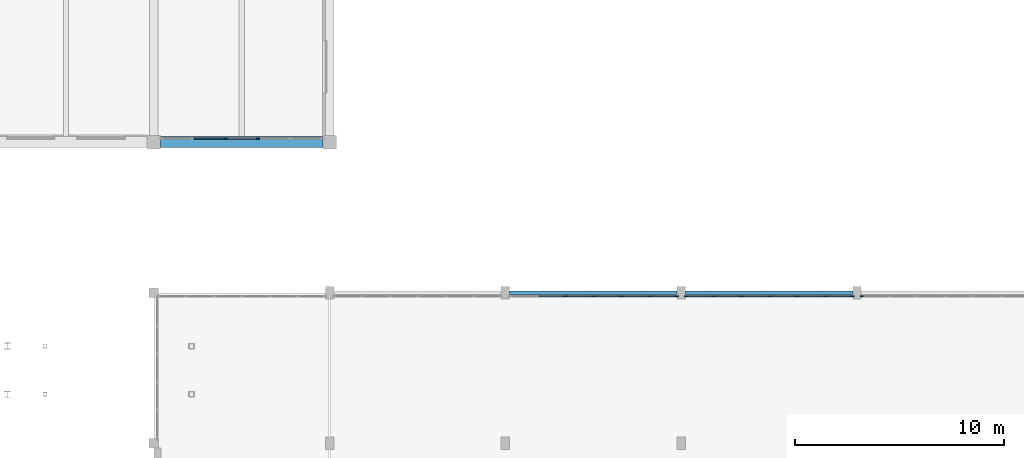
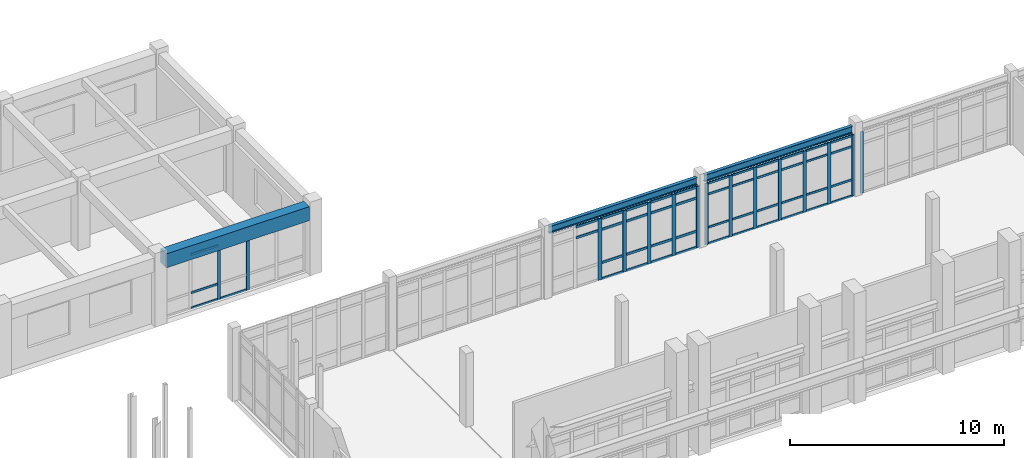
# One storey, part 92 of 147: 61 members, 3 beams, 4 elements without a shape of their own.
"""IFC4 building model written with IfcOpenShell, lengths in metres."""

import ifcopenshell
import ifcopenshell.guid

model = None  # the IFC model being written
_history = None  # IfcOwnerHistory: only IFC2X3 demands one
_inside = {}  # id of a spatial element -> (the spatial element, [elements in it])
_under = {}  # id of a project, library or spatial element -> (it, [spatial elements below it])
_declared = {}  # id of a project -> (the project, [libraries it declares])
_typed = {}  # id of a type object -> (the type object, [elements of that type])
_made_of = {}  # id of a material, layer set ... -> (it, [elements and type objects made of it])


def new_model(schema):
    """Start an empty IFC model of exactly this schema.

    Asked for "IFC4X3", IfcOpenShell would pick the latest addendum, in which some entities
    have other attributes; the version numbers below select the first issue.
    IFC2X3 requires an IfcOwnerHistory on every rooted entity: one is made here for all.
    """
    global model, _history
    if schema == "IFC4X3":
        model = ifcopenshell.file(schema_version=(4, 3, 0, 0))
    else:
        model = ifcopenshell.file(schema=schema)
    _inside.clear()
    _under.clear()
    _declared.clear()
    _typed.clear()
    _made_of.clear()
    _history = None
    if model.schema == "IFC2X3":
        org = make("IfcOrganization", Name="unknown")
        user = make(
            "IfcPersonAndOrganization",
            ThePerson=make("IfcPerson", FamilyName="unknown"),
            TheOrganization=org,
        )
        app = make(
            "IfcApplication",
            ApplicationDeveloper=org,
            Version="unknown",
            ApplicationFullName="unknown",
            ApplicationIdentifier="unknown",
        )
        _history = make(
            "IfcOwnerHistory",
            OwningUser=user,
            OwningApplication=app,
            ChangeAction="ADDED",
            CreationDate=0,
        )
    return model


def make(cls, **values):
    """One entity of the class cls with the attributes given. An attribute that is None is left unset."""
    return model.create_entity(
        cls, **{name: value for name, value in values.items() if value is not None}
    )


def rooted(cls, **values):
    """An entity with a GlobalId (a new one), such as an element, a storey or a relation."""
    return make(cls, GlobalId=ifcopenshell.guid.new(), OwnerHistory=_history, **values)


def si_unit(unit_type, name, prefix=None):
    """IfcSIUnit, for example si_unit("LENGTHUNIT", "METRE", prefix="MILLI")."""
    return make("IfcSIUnit", UnitType=unit_type, Prefix=prefix, Name=name)


def assignment(units):
    """IfcUnitAssignment: the units of a project."""
    return None if units is None else make("IfcUnitAssignment", Units=units)


def point(xyz):
    """IfcCartesianPoint."""
    return None if xyz is None else make("IfcCartesianPoint", Coordinates=xyz)


def direction(xyz):
    """IfcDirection."""
    return None if xyz is None else make("IfcDirection", DirectionRatios=xyz)


def frame(location, z_axis=None, x_axis=None):
    """IfcAxis2Placement3D, a coordinate frame: its origin and axes. An axis left out is left unset."""
    return make(
        "IfcAxis2Placement3D",
        Location=point(location),
        Axis=direction(z_axis),
        RefDirection=direction(x_axis),
    )


def frame_2d(location, x_axis=None):
    """IfcAxis2Placement2D, a coordinate frame in the plane: its origin and x axis."""
    return make(
        "IfcAxis2Placement2D", Location=point(location), RefDirection=direction(x_axis)
    )


def origin():
    """The frame at (0, 0, 0) with its axes left unset."""
    return frame((0.0, 0.0, 0.0))


def origin_2d():
    """The frame at (0, 0) in the plane with its x axis left unset."""
    return frame_2d((0.0, 0.0))


def place(relative_to, where):
    """IfcLocalPlacement: puts the frame where relative to a parent placement (None: the world)."""
    return make(
        "IfcLocalPlacement", PlacementRelTo=relative_to, RelativePlacement=where
    )


def context(
    kind, dimensions, precision=None, world=None, true_north=None, identifier=None
):
    """IfcGeometricRepresentationContext, for example the 3D "Model" context."""
    return make(
        "IfcGeometricRepresentationContext",
        ContextIdentifier=identifier,
        ContextType=kind,
        CoordinateSpaceDimension=dimensions,
        Precision=precision,
        WorldCoordinateSystem=world,
        TrueNorth=true_north,
    )


def subcontext(parent, identifier, kind, view, scale=None):
    """IfcGeometricRepresentationSubContext, for example "Body" below "Model"."""
    return make(
        "IfcGeometricRepresentationSubContext",
        ContextIdentifier=identifier,
        ContextType=kind,
        ParentContext=parent,
        TargetScale=scale,
        TargetView=view,
    )


def project(units=None, contexts=None):
    """IfcProject with its units and contexts."""
    return rooted(
        "IfcProject",
        Name="project",
        RepresentationContexts=contexts,
        UnitsInContext=assignment(units),
    )


def spatial(cls, under=None, at=None, **own):
    """A site, building, storey or space (cls), placed at a placement, below another one or the project."""
    s = rooted(cls, ObjectPlacement=at, **own)
    if under is not None:
        _under.setdefault(under.id(), (under, []))[1].append(s)
    return s


def profile(cls, at=None, kind="AREA", **sizes):
    """A parametric profile (cls). Its sizes go by their IFC names, for example OverallWidth=200.0."""
    return make(cls, ProfileType=kind, Position=at, **sizes)


def rectangle(**sizes):
    """IfcRectangleProfileDef."""
    return profile("IfcRectangleProfileDef", **sizes)


def i_section(**sizes):
    """IfcIShapeProfileDef."""
    return profile("IfcIShapeProfileDef", **sizes)


def extrude(swept, where, along, depth):
    """IfcExtrudedAreaSolid: the profile swept, set in the frame where, extruded along a direction by depth."""
    return make(
        "IfcExtrudedAreaSolid",
        SweptArea=swept,
        Position=where,
        ExtrudedDirection=direction(along),
        Depth=depth,
    )


def shape(context_of_items, identifier, shape_type, items):
    """IfcShapeRepresentation: the items that make up one representation, for example the "Body"."""
    return make(
        "IfcShapeRepresentation",
        ContextOfItems=context_of_items,
        RepresentationIdentifier=identifier,
        RepresentationType=shape_type,
        Items=items,
    )


def material(Name=None, Category=None):
    """IfcMaterial."""
    return make("IfcMaterial", Name=Name, Category=Category)


def material_profile(
    of_material, cross_section, Name=None, Category=None, Priority=None
):
    """IfcMaterialProfile: a cross section and its material."""
    return make(
        "IfcMaterialProfile",
        Name=Name,
        Material=of_material,
        Profile=cross_section,
        Priority=Priority,
        Category=Category,
    )


def profile_set(profiles, Name=None, composite=None):
    """IfcMaterialProfileSet."""
    return make(
        "IfcMaterialProfileSet",
        Name=Name,
        MaterialProfiles=profiles,
        CompositeProfile=composite,
    )


def made_of(thing, what):
    """Note that an element or type object is made of a material, layer set ...; save() writes the relation."""
    if what is not None:
        _made_of.setdefault(what.id(), (what, []))[1].append(thing)
    return thing


def type_object(cls, material=None, **own):
    """A type object (cls), such as IfcWallType, which elements share."""
    return made_of(rooted(cls, **own), material)


def element(
    cls,
    number,
    at=None,
    inside=None,
    cuts=None,
    type_object=None,
    material=None,
    context=None,
    identifier="Body",
    shape_type=None,
    held_by="IfcProductDefinitionShape",
    body=None,
    shapes=None,
    **own,
):
    """One element of the class cls, such as IfcWall. Its Tag is "e" and its number.

    at: its placement. inside: the storey or other place that contains it. cuts: it is an
    opening in that element (IfcRelVoidsElement). A single representation is given by context,
    identifier, shape_type and body (its items); several are given by shapes. held_by: the class
    of the entity that holds the representations. save() writes the other relations.
    """
    e = rooted(cls, Tag="e%d" % number, ObjectPlacement=at, **own)
    if body is not None:
        shapes = [shape(context, identifier, shape_type, body)]
    if shapes is not None:
        e.Representation = make(held_by, Representations=shapes)
    if inside is not None:
        _inside.setdefault(inside.id(), (inside, []))[1].append(e)
    if cuts is not None:
        rooted(
            "IfcRelVoidsElement", RelatingBuildingElement=cuts, RelatedOpeningElement=e
        )
    if type_object is not None:
        _typed.setdefault(type_object.id(), (type_object, []))[1].append(e)
    return made_of(e, material)


def aggregate(whole, parts):
    """IfcRelAggregates: a whole, such as a stair, and the parts it consists of."""
    return rooted("IfcRelAggregates", RelatingObject=whole, RelatedObjects=parts)


def save(model, path):
    """Write the relations noted so far, then the file.

    IfcRelAggregates (storeys below a building ...), IfcRelContainedInSpatialStructure (elements
    in a storey), IfcRelDefinesByType, IfcRelAssociatesMaterial and IfcRelDeclares: one each for
    every whole, place, type object, material and project.
    """
    for whole, parts in _under.values():
        aggregate(whole, parts)
    for where, things in _inside.values():
        rooted(
            "IfcRelContainedInSpatialStructure",
            RelatedElements=things,
            RelatingStructure=where,
        )
    for kind, things in _typed.values():
        rooted("IfcRelDefinesByType", RelatedObjects=things, RelatingType=kind)
    for what, things in _made_of.values():
        rooted("IfcRelAssociatesMaterial", RelatedObjects=things, RelatingMaterial=what)
    for by, libraries in _declared.values():
        rooted("IfcRelDeclares", RelatingContext=by, RelatedDefinitions=libraries)
    model.write(path)


model = new_model("IFC4")

# Units and contexts
model_context = context("Model", 3, precision=1e-05, world=origin(), true_north=direction((0.0, 1.0)))
body_context = subcontext(model_context, "Body", "Model", "MODEL_VIEW")
ifc_project = project(units=[si_unit("LENGTHUNIT", "METRE"), si_unit("AREAUNIT", "SQUARE_METRE"), si_unit("VOLUMEUNIT", "CUBIC_METRE"), si_unit("PLANEANGLEUNIT", "RADIAN"), si_unit("MASSUNIT", "GRAM", prefix="KILO")], contexts=[model_context])

# Site, building, storey
site_placement = place(None, origin())
site = spatial("IfcSite", under=ifc_project, at=site_placement, CompositionType="ELEMENT")
building_placement = place(site_placement, origin())
building = spatial("IfcBuilding", under=site, at=building_placement, Name="Malvenik Polytechnic", CompositionType="ELEMENT")
storey_placement = place(building_placement, frame((0.0, 0.0, 5.10009765625)))
storey = spatial("IfcBuildingStorey", under=building, at=storey_placement, Name="L01", CompositionType="ELEMENT", Elevation=5.10009765625)

# Curtain wall, members
ifc_material_1 = material(Name="Anodised aluminium 6060-T6", Category="aluminium")
curtain_wall_type = type_object("IfcCurtainWallType", Name="ARC-CW-CW-02", PredefinedType="NOTDEFINED", material=ifc_material_1)
curtain_wall_1_placement = place(storey_placement, origin())
curtain_wall_1 = element("IfcCurtainWall", 1, at=curtain_wall_1_placement, inside=storey, type_object=curtain_wall_type, Name="Unitised Curtain Wall CW-02 L01 #53", PredefinedType="NOTDEFINED")
ifc_material_2 = material(Name="Anodised aluminium", Category="aluminium")
ifc_material_profile_1 = material_profile(ifc_material_2, rectangle(XDim=0.06005859375, YDim=0.159912109375, at=origin_2d()), Name="ALU MULLION 60x160")
ifc_profile_set_1 = profile_set([ifc_material_profile_1], Name="Anodised aluminium")
member_type_1 = type_object("IfcMemberType", Name="ARC-CWM-160", PredefinedType="MULLION", material=ifc_profile_set_1)
member_1_placement = place(storey_placement, frame((130.975341796875, 115.3701171875, 0.0), z_axis=(0.0, 0.0, 1.0), x_axis=(0.0, -1.0, 0.0)))
member_1 = element("IfcMember", 2, at=member_1_placement, type_object=member_type_1, Name="CW-02 mullion 3", PredefinedType="MULLION", context=body_context, shape_type="SweptSolid", body=[
    extrude(rectangle(XDim=0.06005859375, YDim=0.159912109375, at=origin_2d()), origin(), (0.0, 0.0, 1.0), 3.10986328125),
])
member_2_placement = place(storey_placement, frame((129.424560546875, 115.3701171875, 0.0), z_axis=(0.0, 0.0, 1.0), x_axis=(0.0, -1.0, 0.0)))
member_2 = element("IfcMember", 3, at=member_2_placement, type_object=member_type_1, Name="CW-02 mullion 4", PredefinedType="MULLION", context=body_context, shape_type="SweptSolid", body=[
    extrude(rectangle(XDim=0.06005859375, YDim=0.159912109375, at=origin_2d()), origin(), (0.0, 0.0, 1.0), 3.10986328125),
])

# Curtain wall, member
curtain_wall_2_placement = place(storey_placement, origin())
curtain_wall_2 = element("IfcCurtainWall", 4, at=curtain_wall_2_placement, inside=storey, type_object=curtain_wall_type, Name="Unitised Curtain Wall CW-02 L01 #68", PredefinedType="NOTDEFINED")
member_3_placement = place(storey_placement, frame((159.827880859375, 107.830078125, 0.0), z_axis=(0.0, 0.0, 1.0), x_axis=(0.0, 1.0, 0.0)))
member_3 = element("IfcMember", 5, at=member_3_placement, type_object=member_type_1, Name="CW-02 mullion 1", PredefinedType="MULLION", context=body_context, shape_type="SweptSolid", body=[
    extrude(rectangle(XDim=0.06005859375, YDim=0.159912109375, at=origin_2d()), origin(), (0.0, 0.0, 1.0), 3.497802734375),
])
aggregate(curtain_wall_2, [member_3])

# Curtain wall, members
curtain_wall_3_placement = place(storey_placement, origin())
curtain_wall_3 = element("IfcCurtainWall", 6, at=curtain_wall_3_placement, inside=storey, type_object=curtain_wall_type, Name="Unitised Curtain Wall CW-02 L01 #67", PredefinedType="NOTDEFINED")
ifc_material_profile_2 = material_profile(ifc_material_2, rectangle(XDim=0.06005859375, YDim=0.179931640625, at=origin_2d()), Name="ALU MULLION 60x180")
ifc_profile_set_2 = profile_set([ifc_material_profile_2], Name="Anodised aluminium")
member_type_2 = type_object("IfcMemberType", Name="ARC-CWM-180", PredefinedType="MULLION", material=ifc_profile_set_2)
member_4_placement = place(storey_placement, frame((151.427978515625, 107.830078125, 0.0), z_axis=(0.0, 0.0, 1.0), x_axis=(0.0, 1.0, 0.0)))
member_4 = element("IfcMember", 7, at=member_4_placement, type_object=member_type_2, Name="CW-02 mullion 1", PredefinedType="MULLION", context=body_context, shape_type="SweptSolid", body=[
    extrude(rectangle(XDim=0.06005859375, YDim=0.179931640625, at=origin_2d()), origin(), (0.0, 0.0, 1.0), 3.497802734375),
])
member_5_placement = place(storey_placement, frame((152.73193359375, 107.830078125, 0.0), z_axis=(0.0, 0.0, 1.0), x_axis=(0.0, 1.0, 0.0)))
member_5 = element("IfcMember", 8, at=member_5_placement, type_object=member_type_2, Name="CW-02 mullion 2", PredefinedType="MULLION", context=body_context, shape_type="SweptSolid", body=[
    extrude(rectangle(XDim=0.06005859375, YDim=0.179931640625, at=origin_2d()), origin(), (0.0, 0.0, 1.0), 3.497802734375),
])
member_6_placement = place(storey_placement, frame((154.06591796875, 107.830078125, 0.0), z_axis=(0.0, 0.0, 1.0), x_axis=(0.0, 1.0, 0.0)))
member_6 = element("IfcMember", 9, at=member_6_placement, type_object=member_type_2, Name="CW-02 mullion 3", PredefinedType="MULLION", context=body_context, shape_type="SweptSolid", body=[
    extrude(rectangle(XDim=0.06005859375, YDim=0.179931640625, at=origin_2d()), origin(), (0.0, 0.0, 1.0), 3.497802734375),
])
member_7_placement = place(storey_placement, frame((155.39990234375, 107.830078125, 0.0), z_axis=(0.0, 0.0, 1.0), x_axis=(0.0, 1.0, 0.0)))
member_7 = element("IfcMember", 10, at=member_7_placement, type_object=member_type_2, Name="CW-02 mullion 4", PredefinedType="MULLION", context=body_context, shape_type="SweptSolid", body=[
    extrude(rectangle(XDim=0.06005859375, YDim=0.179931640625, at=origin_2d()), origin(), (0.0, 0.0, 1.0), 3.497802734375),
])
member_8_placement = place(storey_placement, frame((156.73388671875, 107.830078125, 0.0), z_axis=(0.0, 0.0, 1.0), x_axis=(0.0, 1.0, 0.0)))
member_8 = element("IfcMember", 11, at=member_8_placement, type_object=member_type_2, Name="CW-02 mullion 5", PredefinedType="MULLION", context=body_context, shape_type="SweptSolid", body=[
    extrude(rectangle(XDim=0.06005859375, YDim=0.179931640625, at=origin_2d()), origin(), (0.0, 0.0, 1.0), 3.497802734375),
])
member_9_placement = place(storey_placement, frame((158.068115234375, 107.830078125, 0.0), z_axis=(0.0, 0.0, 1.0), x_axis=(0.0, 1.0, 0.0)))
member_9 = element("IfcMember", 12, at=member_9_placement, type_object=member_type_2, Name="CW-02 mullion 6", PredefinedType="MULLION", context=body_context, shape_type="SweptSolid", body=[
    extrude(rectangle(XDim=0.06005859375, YDim=0.179931640625, at=origin_2d()), origin(), (0.0, 0.0, 1.0), 3.497802734375),
])
member_10_placement = place(storey_placement, frame((159.3720703125, 107.830078125, 0.0), z_axis=(0.0, 0.0, 1.0), x_axis=(0.0, 1.0, 0.0)))
member_10 = element("IfcMember", 13, at=member_10_placement, type_object=member_type_2, Name="CW-02 mullion 7", PredefinedType="MULLION", context=body_context, shape_type="SweptSolid", body=[
    extrude(rectangle(XDim=0.06005859375, YDim=0.179931640625, at=origin_2d()), origin(), (0.0, 0.0, 1.0), 3.497802734375),
])

curtain_wall_4_placement = place(storey_placement, origin())
curtain_wall_4 = element("IfcCurtainWall", 14, at=curtain_wall_4_placement, inside=storey, type_object=curtain_wall_type, Name="Unitised Curtain Wall CW-02 L01 #66", PredefinedType="NOTDEFINED")
ifc_material_profile_3 = material_profile(ifc_material_2, rectangle(XDim=0.06005859375, YDim=0.199951171875, at=origin_2d()), Name="ALU MULLION 60x200")
ifc_profile_set_3 = profile_set([ifc_material_profile_3], Name="Anodised aluminium")
member_type_3 = type_object("IfcMemberType", Name="ARC-CWM-200", PredefinedType="MULLION", material=ifc_profile_set_3)
member_11_placement = place(storey_placement, frame((145.666015625, 107.830078125, 0.0), z_axis=(0.0, 0.0, 1.0), x_axis=(0.0, 1.0, 0.0)))
member_11 = element("IfcMember", 15, at=member_11_placement, type_object=member_type_3, Name="CW-02 mullion 3", PredefinedType="MULLION", context=body_context, shape_type="SweptSolid", body=[
    extrude(rectangle(XDim=0.06005859375, YDim=0.199951171875, at=origin_2d()), origin(), (0.0, 0.0, 1.0), 3.497802734375),
])
member_12_placement = place(storey_placement, frame((147.0, 107.830078125, 0.0), z_axis=(0.0, 0.0, 1.0), x_axis=(0.0, 1.0, 0.0)))
member_12 = element("IfcMember", 16, at=member_12_placement, type_object=member_type_3, Name="CW-02 mullion 4", PredefinedType="MULLION", context=body_context, shape_type="SweptSolid", body=[
    extrude(rectangle(XDim=0.06005859375, YDim=0.199951171875, at=origin_2d()), origin(), (0.0, 0.0, 1.0), 3.497802734375),
])
member_13_placement = place(storey_placement, frame((148.333984375, 107.830078125, 0.0), z_axis=(0.0, 0.0, 1.0), x_axis=(0.0, 1.0, 0.0)))
member_13 = element("IfcMember", 17, at=member_13_placement, type_object=member_type_3, Name="CW-02 mullion 5", PredefinedType="MULLION", context=body_context, shape_type="SweptSolid", body=[
    extrude(rectangle(XDim=0.06005859375, YDim=0.199951171875, at=origin_2d()), origin(), (0.0, 0.0, 1.0), 3.497802734375),
])
member_14_placement = place(storey_placement, frame((149.66796875, 107.830078125, 0.0), z_axis=(0.0, 0.0, 1.0), x_axis=(0.0, 1.0, 0.0)))
member_14 = element("IfcMember", 18, at=member_14_placement, type_object=member_type_3, Name="CW-02 mullion 6", PredefinedType="MULLION", context=body_context, shape_type="SweptSolid", body=[
    extrude(rectangle(XDim=0.06005859375, YDim=0.199951171875, at=origin_2d()), origin(), (0.0, 0.0, 1.0), 3.497802734375),
])
member_15_placement = place(storey_placement, frame((150.971923828125, 107.830078125, 0.0), z_axis=(0.0, 0.0, 1.0), x_axis=(0.0, 1.0, 0.0)))
member_15 = element("IfcMember", 19, at=member_15_placement, type_object=member_type_3, Name="CW-02 mullion 7", PredefinedType="MULLION", context=body_context, shape_type="SweptSolid", body=[
    extrude(rectangle(XDim=0.06005859375, YDim=0.199951171875, at=origin_2d()), origin(), (0.0, 0.0, 1.0), 3.497802734375),
])

# Member
ifc_material_profile_4 = material_profile(ifc_material_2, rectangle(XDim=0.06005859375, YDim=0.1201171875, at=origin_2d()), Name="ALU TRANSOM 60x120")
ifc_profile_set_4 = profile_set([ifc_material_profile_4], Name="Anodised aluminium")
member_type_4 = type_object("IfcMemberType", Name="ARC-CWT-120", PredefinedType="USERDEFINED", material=ifc_profile_set_4)
member_16_placement = place(storey_placement, frame((130.9453125, 115.3701171875, 0.02978515625), z_axis=(-1.0, 0.0, 0.0), x_axis=(0.0, -1.0, 0.0)))
member_16 = element("IfcMember", 20, at=member_16_placement, type_object=member_type_4, Name="CW-02 transom 3.1", ObjectType="TRANSOM", PredefinedType="USERDEFINED", context=body_context, shape_type="SweptSolid", body=[
    extrude(rectangle(XDim=0.06005859375, YDim=0.1201171875, at=origin_2d()), origin(), (0.0, 0.0, 1.0), 1.49072265625),
])

member_17_placement = place(storey_placement, frame((129.39453125, 115.3701171875, 0.02978515625), z_axis=(-1.0, 0.0, 0.0), x_axis=(0.0, -1.0, 0.0)))
member_17 = element("IfcMember", 21, at=member_17_placement, type_object=member_type_4, Name="CW-02 transom 4.1", ObjectType="TRANSOM", PredefinedType="USERDEFINED", context=body_context, shape_type="SweptSolid", body=[
    extrude(rectangle(XDim=0.06005859375, YDim=0.1201171875, at=origin_2d()), origin(), (0.0, 0.0, 1.0), 1.49072265625),
])

member_18_placement = place(storey_placement, frame((129.39453125, 115.3701171875, 0.89990234375), z_axis=(-1.0, 0.0, 0.0), x_axis=(0.0, -1.0, 0.0)))
member_18 = element("IfcMember", 22, at=member_18_placement, type_object=member_type_4, Name="CW-02 transom 4.2", ObjectType="TRANSOM", PredefinedType="USERDEFINED", context=body_context, shape_type="SweptSolid", body=[
    extrude(rectangle(XDim=0.06005859375, YDim=0.1201171875, at=origin_2d()), origin(), (0.0, 0.0, 1.0), 1.49072265625),
])

member_19_placement = place(storey_placement, frame((129.39453125, 115.3701171875, 3.079833984375), z_axis=(-1.0, 0.0, 0.0), x_axis=(0.0, -1.0, 0.0)))
member_19 = element("IfcMember", 23, at=member_19_placement, type_object=member_type_4, Name="CW-02 transom 4.3", ObjectType="TRANSOM", PredefinedType="USERDEFINED", context=body_context, shape_type="SweptSolid", body=[
    extrude(rectangle(XDim=0.06005859375, YDim=0.1201171875, at=origin_2d()), origin(), (0.0, 0.0, 1.0), 1.49072265625),
])

aggregate(curtain_wall_1, [member_1, member_2, member_16, member_17, member_18, member_19])

member_20_placement = place(storey_placement, frame((151.4580078125, 107.830078125, 0.02978515625), z_axis=(1.0, 0.0, 0.0), x_axis=(0.0, 1.0, 0.0)))
member_20 = element("IfcMember", 24, at=member_20_placement, type_object=member_type_4, Name="CW-02 transom 1.1", ObjectType="TRANSOM", PredefinedType="USERDEFINED", context=body_context, shape_type="SweptSolid", body=[
    extrude(rectangle(XDim=0.06005859375, YDim=0.1201171875, at=origin_2d()), origin(), (0.0, 0.0, 1.0), 1.243896484375),
])

member_21_placement = place(storey_placement, frame((151.4580078125, 107.830078125, 0.949951171875), z_axis=(1.0, 0.0, 0.0), x_axis=(0.0, 1.0, 0.0)))
member_21 = element("IfcMember", 25, at=member_21_placement, type_object=member_type_4, Name="CW-02 transom 1.2", ObjectType="TRANSOM", PredefinedType="USERDEFINED", context=body_context, shape_type="SweptSolid", body=[
    extrude(rectangle(XDim=0.06005859375, YDim=0.1201171875, at=origin_2d()), origin(), (0.0, 0.0, 1.0), 1.243896484375),
])

member_22_placement = place(storey_placement, frame((151.4580078125, 107.830078125, 2.847900390625), z_axis=(1.0, 0.0, 0.0), x_axis=(0.0, 1.0, 0.0)))
member_22 = element("IfcMember", 26, at=member_22_placement, type_object=member_type_4, Name="CW-02 transom 1.3", ObjectType="TRANSOM", PredefinedType="USERDEFINED", context=body_context, shape_type="SweptSolid", body=[
    extrude(rectangle(XDim=0.06005859375, YDim=0.1201171875, at=origin_2d()), origin(), (0.0, 0.0, 1.0), 1.243896484375),
])

member_23_placement = place(storey_placement, frame((151.4580078125, 107.830078125, 3.468017578125), z_axis=(1.0, 0.0, 0.0), x_axis=(0.0, 1.0, 0.0)))
member_23 = element("IfcMember", 27, at=member_23_placement, type_object=member_type_4, Name="CW-02 transom 1.4", ObjectType="TRANSOM", PredefinedType="USERDEFINED", context=body_context, shape_type="SweptSolid", body=[
    extrude(rectangle(XDim=0.06005859375, YDim=0.1201171875, at=origin_2d()), origin(), (0.0, 0.0, 1.0), 1.243896484375),
])

member_24_placement = place(storey_placement, frame((152.761962890625, 107.830078125, 0.02978515625), z_axis=(1.0, 0.0, 0.0), x_axis=(0.0, 1.0, 0.0)))
member_24 = element("IfcMember", 28, at=member_24_placement, type_object=member_type_4, Name="CW-02 transom 2.1", ObjectType="TRANSOM", PredefinedType="USERDEFINED", context=body_context, shape_type="SweptSolid", body=[
    extrude(rectangle(XDim=0.06005859375, YDim=0.1201171875, at=origin_2d()), origin(), (0.0, 0.0, 1.0), 1.27392578125),
])

member_25_placement = place(storey_placement, frame((152.761962890625, 107.830078125, 0.949951171875), z_axis=(1.0, 0.0, 0.0), x_axis=(0.0, 1.0, 0.0)))
member_25 = element("IfcMember", 29, at=member_25_placement, type_object=member_type_4, Name="CW-02 transom 2.2", ObjectType="TRANSOM", PredefinedType="USERDEFINED", context=body_context, shape_type="SweptSolid", body=[
    extrude(rectangle(XDim=0.06005859375, YDim=0.1201171875, at=origin_2d()), origin(), (0.0, 0.0, 1.0), 1.27392578125),
])

member_26_placement = place(storey_placement, frame((152.761962890625, 107.830078125, 2.847900390625), z_axis=(1.0, 0.0, 0.0), x_axis=(0.0, 1.0, 0.0)))
member_26 = element("IfcMember", 30, at=member_26_placement, type_object=member_type_4, Name="CW-02 transom 2.3", ObjectType="TRANSOM", PredefinedType="USERDEFINED", context=body_context, shape_type="SweptSolid", body=[
    extrude(rectangle(XDim=0.06005859375, YDim=0.1201171875, at=origin_2d()), origin(), (0.0, 0.0, 1.0), 1.27392578125),
])

member_27_placement = place(storey_placement, frame((152.761962890625, 107.830078125, 3.468017578125), z_axis=(1.0, 0.0, 0.0), x_axis=(0.0, 1.0, 0.0)))
member_27 = element("IfcMember", 31, at=member_27_placement, type_object=member_type_4, Name="CW-02 transom 2.4", ObjectType="TRANSOM", PredefinedType="USERDEFINED", context=body_context, shape_type="SweptSolid", body=[
    extrude(rectangle(XDim=0.06005859375, YDim=0.1201171875, at=origin_2d()), origin(), (0.0, 0.0, 1.0), 1.27392578125),
])

member_28_placement = place(storey_placement, frame((154.095947265625, 107.830078125, 0.02978515625), z_axis=(1.0, 0.0, 0.0), x_axis=(0.0, 1.0, 0.0)))
member_28 = element("IfcMember", 32, at=member_28_placement, type_object=member_type_4, Name="CW-02 transom 3.1", ObjectType="TRANSOM", PredefinedType="USERDEFINED", context=body_context, shape_type="SweptSolid", body=[
    extrude(rectangle(XDim=0.06005859375, YDim=0.1201171875, at=origin_2d()), origin(), (0.0, 0.0, 1.0), 1.274169921875),
])

member_29_placement = place(storey_placement, frame((154.095947265625, 107.830078125, 0.949951171875), z_axis=(1.0, 0.0, 0.0), x_axis=(0.0, 1.0, 0.0)))
member_29 = element("IfcMember", 33, at=member_29_placement, type_object=member_type_4, Name="CW-02 transom 3.2", ObjectType="TRANSOM", PredefinedType="USERDEFINED", context=body_context, shape_type="SweptSolid", body=[
    extrude(rectangle(XDim=0.06005859375, YDim=0.1201171875, at=origin_2d()), origin(), (0.0, 0.0, 1.0), 1.274169921875),
])

member_30_placement = place(storey_placement, frame((154.095947265625, 107.830078125, 2.847900390625), z_axis=(1.0, 0.0, 0.0), x_axis=(0.0, 1.0, 0.0)))
member_30 = element("IfcMember", 34, at=member_30_placement, type_object=member_type_4, Name="CW-02 transom 3.3", ObjectType="TRANSOM", PredefinedType="USERDEFINED", context=body_context, shape_type="SweptSolid", body=[
    extrude(rectangle(XDim=0.06005859375, YDim=0.1201171875, at=origin_2d()), origin(), (0.0, 0.0, 1.0), 1.274169921875),
])

member_31_placement = place(storey_placement, frame((154.095947265625, 107.830078125, 3.468017578125), z_axis=(1.0, 0.0, 0.0), x_axis=(0.0, 1.0, 0.0)))
member_31 = element("IfcMember", 35, at=member_31_placement, type_object=member_type_4, Name="CW-02 transom 3.4", ObjectType="TRANSOM", PredefinedType="USERDEFINED", context=body_context, shape_type="SweptSolid", body=[
    extrude(rectangle(XDim=0.06005859375, YDim=0.1201171875, at=origin_2d()), origin(), (0.0, 0.0, 1.0), 1.274169921875),
])

member_32_placement = place(storey_placement, frame((155.429931640625, 107.830078125, 0.02978515625), z_axis=(1.0, 0.0, 0.0), x_axis=(0.0, 1.0, 0.0)))
member_32 = element("IfcMember", 36, at=member_32_placement, type_object=member_type_4, Name="CW-02 transom 4.1", ObjectType="TRANSOM", PredefinedType="USERDEFINED", context=body_context, shape_type="SweptSolid", body=[
    extrude(rectangle(XDim=0.06005859375, YDim=0.1201171875, at=origin_2d()), origin(), (0.0, 0.0, 1.0), 1.274169921875),
])

member_33_placement = place(storey_placement, frame((155.429931640625, 107.830078125, 0.949951171875), z_axis=(1.0, 0.0, 0.0), x_axis=(0.0, 1.0, 0.0)))
member_33 = element("IfcMember", 37, at=member_33_placement, type_object=member_type_4, Name="CW-02 transom 4.2", ObjectType="TRANSOM", PredefinedType="USERDEFINED", context=body_context, shape_type="SweptSolid", body=[
    extrude(rectangle(XDim=0.06005859375, YDim=0.1201171875, at=origin_2d()), origin(), (0.0, 0.0, 1.0), 1.274169921875),
])

member_34_placement = place(storey_placement, frame((155.429931640625, 107.830078125, 2.847900390625), z_axis=(1.0, 0.0, 0.0), x_axis=(0.0, 1.0, 0.0)))
member_34 = element("IfcMember", 38, at=member_34_placement, type_object=member_type_4, Name="CW-02 transom 4.3", ObjectType="TRANSOM", PredefinedType="USERDEFINED", context=body_context, shape_type="SweptSolid", body=[
    extrude(rectangle(XDim=0.06005859375, YDim=0.1201171875, at=origin_2d()), origin(), (0.0, 0.0, 1.0), 1.274169921875),
])

member_35_placement = place(storey_placement, frame((155.429931640625, 107.830078125, 3.468017578125), z_axis=(1.0, 0.0, 0.0), x_axis=(0.0, 1.0, 0.0)))
member_35 = element("IfcMember", 39, at=member_35_placement, type_object=member_type_4, Name="CW-02 transom 4.4", ObjectType="TRANSOM", PredefinedType="USERDEFINED", context=body_context, shape_type="SweptSolid", body=[
    extrude(rectangle(XDim=0.06005859375, YDim=0.1201171875, at=origin_2d()), origin(), (0.0, 0.0, 1.0), 1.274169921875),
])

member_36_placement = place(storey_placement, frame((156.763916015625, 107.830078125, 0.02978515625), z_axis=(1.0, 0.0, 0.0), x_axis=(0.0, 1.0, 0.0)))
member_36 = element("IfcMember", 40, at=member_36_placement, type_object=member_type_4, Name="CW-02 transom 5.1", ObjectType="TRANSOM", PredefinedType="USERDEFINED", context=body_context, shape_type="SweptSolid", body=[
    extrude(rectangle(XDim=0.06005859375, YDim=0.1201171875, at=origin_2d()), origin(), (0.0, 0.0, 1.0), 1.274169921875),
])

member_37_placement = place(storey_placement, frame((156.763916015625, 107.830078125, 0.949951171875), z_axis=(1.0, 0.0, 0.0), x_axis=(0.0, 1.0, 0.0)))
member_37 = element("IfcMember", 41, at=member_37_placement, type_object=member_type_4, Name="CW-02 transom 5.2", ObjectType="TRANSOM", PredefinedType="USERDEFINED", context=body_context, shape_type="SweptSolid", body=[
    extrude(rectangle(XDim=0.06005859375, YDim=0.1201171875, at=origin_2d()), origin(), (0.0, 0.0, 1.0), 1.274169921875),
])

member_38_placement = place(storey_placement, frame((156.763916015625, 107.830078125, 2.847900390625), z_axis=(1.0, 0.0, 0.0), x_axis=(0.0, 1.0, 0.0)))
member_38 = element("IfcMember", 42, at=member_38_placement, type_object=member_type_4, Name="CW-02 transom 5.3", ObjectType="TRANSOM", PredefinedType="USERDEFINED", context=body_context, shape_type="SweptSolid", body=[
    extrude(rectangle(XDim=0.06005859375, YDim=0.1201171875, at=origin_2d()), origin(), (0.0, 0.0, 1.0), 1.274169921875),
])

member_39_placement = place(storey_placement, frame((156.763916015625, 107.830078125, 3.468017578125), z_axis=(1.0, 0.0, 0.0), x_axis=(0.0, 1.0, 0.0)))
member_39 = element("IfcMember", 43, at=member_39_placement, type_object=member_type_4, Name="CW-02 transom 5.4", ObjectType="TRANSOM", PredefinedType="USERDEFINED", context=body_context, shape_type="SweptSolid", body=[
    extrude(rectangle(XDim=0.06005859375, YDim=0.1201171875, at=origin_2d()), origin(), (0.0, 0.0, 1.0), 1.274169921875),
])

member_40_placement = place(storey_placement, frame((158.097900390625, 107.830078125, 0.02978515625), z_axis=(1.0, 0.0, 0.0), x_axis=(0.0, 1.0, 0.0)))
member_40 = element("IfcMember", 44, at=member_40_placement, type_object=member_type_4, Name="CW-02 transom 6.1", ObjectType="TRANSOM", PredefinedType="USERDEFINED", context=body_context, shape_type="SweptSolid", body=[
    extrude(rectangle(XDim=0.06005859375, YDim=0.1201171875, at=origin_2d()), origin(), (0.0, 0.0, 1.0), 1.244140625),
])

member_41_placement = place(storey_placement, frame((158.097900390625, 107.830078125, 0.949951171875), z_axis=(1.0, 0.0, 0.0), x_axis=(0.0, 1.0, 0.0)))
member_41 = element("IfcMember", 45, at=member_41_placement, type_object=member_type_4, Name="CW-02 transom 6.2", ObjectType="TRANSOM", PredefinedType="USERDEFINED", context=body_context, shape_type="SweptSolid", body=[
    extrude(rectangle(XDim=0.06005859375, YDim=0.1201171875, at=origin_2d()), origin(), (0.0, 0.0, 1.0), 1.244140625),
])

member_42_placement = place(storey_placement, frame((158.097900390625, 107.830078125, 2.847900390625), z_axis=(1.0, 0.0, 0.0), x_axis=(0.0, 1.0, 0.0)))
member_42 = element("IfcMember", 46, at=member_42_placement, type_object=member_type_4, Name="CW-02 transom 6.3", ObjectType="TRANSOM", PredefinedType="USERDEFINED", context=body_context, shape_type="SweptSolid", body=[
    extrude(rectangle(XDim=0.06005859375, YDim=0.1201171875, at=origin_2d()), origin(), (0.0, 0.0, 1.0), 1.244140625),
])

member_43_placement = place(storey_placement, frame((158.097900390625, 107.830078125, 3.468017578125), z_axis=(1.0, 0.0, 0.0), x_axis=(0.0, 1.0, 0.0)))
member_43 = element("IfcMember", 47, at=member_43_placement, type_object=member_type_4, Name="CW-02 transom 6.4", ObjectType="TRANSOM", PredefinedType="USERDEFINED", context=body_context, shape_type="SweptSolid", body=[
    extrude(rectangle(XDim=0.06005859375, YDim=0.1201171875, at=origin_2d()), origin(), (0.0, 0.0, 1.0), 1.244140625),
])

aggregate(curtain_wall_3, [member_4, member_5, member_6, member_7, member_8, member_9, member_10, member_20, member_21, member_22, member_23, member_24, member_25, member_26, member_27, member_28, member_29, member_30, member_31, member_32, member_33, member_34, member_35, member_36, member_37, member_38, member_39, member_40, member_41, member_42, member_43])

ifc_material_profile_5 = material_profile(ifc_material_2, rectangle(XDim=0.06005859375, YDim=0.139892578125, at=origin_2d()), Name="ALU TRANSOM 60x140")
ifc_profile_set_5 = profile_set([ifc_material_profile_5], Name="Anodised aluminium")
member_type_5 = type_object("IfcMemberType", Name="ARC-CWT-140", PredefinedType="USERDEFINED", material=ifc_profile_set_5)
member_44_placement = place(storey_placement, frame((144.362060546875, 107.830078125, 2.847900390625), z_axis=(1.0, 0.0, 0.0), x_axis=(0.0, 1.0, 0.0)))
member_44 = element("IfcMember", 48, at=member_44_placement, type_object=member_type_5, Name="CW-02 transom 2.3", ObjectType="TRANSOM", PredefinedType="USERDEFINED", context=body_context, shape_type="SweptSolid", body=[
    extrude(rectangle(XDim=0.06005859375, YDim=0.139892578125, at=origin_2d()), origin(), (0.0, 0.0, 1.0), 1.27392578125),
])

member_45_placement = place(storey_placement, frame((144.362060546875, 107.830078125, 3.468017578125), z_axis=(1.0, 0.0, 0.0), x_axis=(0.0, 1.0, 0.0)))
member_45 = element("IfcMember", 49, at=member_45_placement, type_object=member_type_5, Name="CW-02 transom 2.4", ObjectType="TRANSOM", PredefinedType="USERDEFINED", context=body_context, shape_type="SweptSolid", body=[
    extrude(rectangle(XDim=0.06005859375, YDim=0.139892578125, at=origin_2d()), origin(), (0.0, 0.0, 1.0), 1.27392578125),
])

member_46_placement = place(storey_placement, frame((145.696044921875, 107.830078125, 0.02978515625), z_axis=(1.0, 0.0, 0.0), x_axis=(0.0, 1.0, 0.0)))
member_46 = element("IfcMember", 50, at=member_46_placement, type_object=member_type_5, Name="CW-02 transom 3.1", ObjectType="TRANSOM", PredefinedType="USERDEFINED", context=body_context, shape_type="SweptSolid", body=[
    extrude(rectangle(XDim=0.06005859375, YDim=0.139892578125, at=origin_2d()), origin(), (0.0, 0.0, 1.0), 1.27392578125),
])

member_47_placement = place(storey_placement, frame((145.696044921875, 107.830078125, 0.949951171875), z_axis=(1.0, 0.0, 0.0), x_axis=(0.0, 1.0, 0.0)))
member_47 = element("IfcMember", 51, at=member_47_placement, type_object=member_type_5, Name="CW-02 transom 3.2", ObjectType="TRANSOM", PredefinedType="USERDEFINED", context=body_context, shape_type="SweptSolid", body=[
    extrude(rectangle(XDim=0.06005859375, YDim=0.139892578125, at=origin_2d()), origin(), (0.0, 0.0, 1.0), 1.27392578125),
])

member_48_placement = place(storey_placement, frame((145.696044921875, 107.830078125, 2.847900390625), z_axis=(1.0, 0.0, 0.0), x_axis=(0.0, 1.0, 0.0)))
member_48 = element("IfcMember", 52, at=member_48_placement, type_object=member_type_5, Name="CW-02 transom 3.3", ObjectType="TRANSOM", PredefinedType="USERDEFINED", context=body_context, shape_type="SweptSolid", body=[
    extrude(rectangle(XDim=0.06005859375, YDim=0.139892578125, at=origin_2d()), origin(), (0.0, 0.0, 1.0), 1.27392578125),
])

member_49_placement = place(storey_placement, frame((145.696044921875, 107.830078125, 3.468017578125), z_axis=(1.0, 0.0, 0.0), x_axis=(0.0, 1.0, 0.0)))
member_49 = element("IfcMember", 53, at=member_49_placement, type_object=member_type_5, Name="CW-02 transom 3.4", ObjectType="TRANSOM", PredefinedType="USERDEFINED", context=body_context, shape_type="SweptSolid", body=[
    extrude(rectangle(XDim=0.06005859375, YDim=0.139892578125, at=origin_2d()), origin(), (0.0, 0.0, 1.0), 1.27392578125),
])

member_50_placement = place(storey_placement, frame((147.030029296875, 107.830078125, 0.02978515625), z_axis=(1.0, 0.0, 0.0), x_axis=(0.0, 1.0, 0.0)))
member_50 = element("IfcMember", 54, at=member_50_placement, type_object=member_type_5, Name="CW-02 transom 4.1", ObjectType="TRANSOM", PredefinedType="USERDEFINED", context=body_context, shape_type="SweptSolid", body=[
    extrude(rectangle(XDim=0.06005859375, YDim=0.139892578125, at=origin_2d()), origin(), (0.0, 0.0, 1.0), 1.27392578125),
])

member_51_placement = place(storey_placement, frame((147.030029296875, 107.830078125, 0.949951171875), z_axis=(1.0, 0.0, 0.0), x_axis=(0.0, 1.0, 0.0)))
member_51 = element("IfcMember", 55, at=member_51_placement, type_object=member_type_5, Name="CW-02 transom 4.2", ObjectType="TRANSOM", PredefinedType="USERDEFINED", context=body_context, shape_type="SweptSolid", body=[
    extrude(rectangle(XDim=0.06005859375, YDim=0.139892578125, at=origin_2d()), origin(), (0.0, 0.0, 1.0), 1.27392578125),
])

member_52_placement = place(storey_placement, frame((147.030029296875, 107.830078125, 2.847900390625), z_axis=(1.0, 0.0, 0.0), x_axis=(0.0, 1.0, 0.0)))
member_52 = element("IfcMember", 56, at=member_52_placement, type_object=member_type_5, Name="CW-02 transom 4.3", ObjectType="TRANSOM", PredefinedType="USERDEFINED", context=body_context, shape_type="SweptSolid", body=[
    extrude(rectangle(XDim=0.06005859375, YDim=0.139892578125, at=origin_2d()), origin(), (0.0, 0.0, 1.0), 1.27392578125),
])

member_53_placement = place(storey_placement, frame((147.030029296875, 107.830078125, 3.468017578125), z_axis=(1.0, 0.0, 0.0), x_axis=(0.0, 1.0, 0.0)))
member_53 = element("IfcMember", 57, at=member_53_placement, type_object=member_type_5, Name="CW-02 transom 4.4", ObjectType="TRANSOM", PredefinedType="USERDEFINED", context=body_context, shape_type="SweptSolid", body=[
    extrude(rectangle(XDim=0.06005859375, YDim=0.139892578125, at=origin_2d()), origin(), (0.0, 0.0, 1.0), 1.27392578125),
])

member_54_placement = place(storey_placement, frame((148.364013671875, 107.830078125, 0.02978515625), z_axis=(1.0, 0.0, 0.0), x_axis=(0.0, 1.0, 0.0)))
member_54 = element("IfcMember", 58, at=member_54_placement, type_object=member_type_5, Name="CW-02 transom 5.1", ObjectType="TRANSOM", PredefinedType="USERDEFINED", context=body_context, shape_type="SweptSolid", body=[
    extrude(rectangle(XDim=0.06005859375, YDim=0.139892578125, at=origin_2d()), origin(), (0.0, 0.0, 1.0), 1.27392578125),
])

member_55_placement = place(storey_placement, frame((148.364013671875, 107.830078125, 0.949951171875), z_axis=(1.0, 0.0, 0.0), x_axis=(0.0, 1.0, 0.0)))
member_55 = element("IfcMember", 59, at=member_55_placement, type_object=member_type_5, Name="CW-02 transom 5.2", ObjectType="TRANSOM", PredefinedType="USERDEFINED", context=body_context, shape_type="SweptSolid", body=[
    extrude(rectangle(XDim=0.06005859375, YDim=0.139892578125, at=origin_2d()), origin(), (0.0, 0.0, 1.0), 1.27392578125),
])

member_56_placement = place(storey_placement, frame((148.364013671875, 107.830078125, 2.847900390625), z_axis=(1.0, 0.0, 0.0), x_axis=(0.0, 1.0, 0.0)))
member_56 = element("IfcMember", 60, at=member_56_placement, type_object=member_type_5, Name="CW-02 transom 5.3", ObjectType="TRANSOM", PredefinedType="USERDEFINED", context=body_context, shape_type="SweptSolid", body=[
    extrude(rectangle(XDim=0.06005859375, YDim=0.139892578125, at=origin_2d()), origin(), (0.0, 0.0, 1.0), 1.27392578125),
])

member_57_placement = place(storey_placement, frame((148.364013671875, 107.830078125, 3.468017578125), z_axis=(1.0, 0.0, 0.0), x_axis=(0.0, 1.0, 0.0)))
member_57 = element("IfcMember", 61, at=member_57_placement, type_object=member_type_5, Name="CW-02 transom 5.4", ObjectType="TRANSOM", PredefinedType="USERDEFINED", context=body_context, shape_type="SweptSolid", body=[
    extrude(rectangle(XDim=0.06005859375, YDim=0.139892578125, at=origin_2d()), origin(), (0.0, 0.0, 1.0), 1.27392578125),
])

member_58_placement = place(storey_placement, frame((149.697998046875, 107.830078125, 0.02978515625), z_axis=(1.0, 0.0, 0.0), x_axis=(0.0, 1.0, 0.0)))
member_58 = element("IfcMember", 62, at=member_58_placement, type_object=member_type_5, Name="CW-02 transom 6.1", ObjectType="TRANSOM", PredefinedType="USERDEFINED", context=body_context, shape_type="SweptSolid", body=[
    extrude(rectangle(XDim=0.06005859375, YDim=0.139892578125, at=origin_2d()), origin(), (0.0, 0.0, 1.0), 1.243896484375),
])

member_59_placement = place(storey_placement, frame((149.697998046875, 107.830078125, 0.949951171875), z_axis=(1.0, 0.0, 0.0), x_axis=(0.0, 1.0, 0.0)))
member_59 = element("IfcMember", 63, at=member_59_placement, type_object=member_type_5, Name="CW-02 transom 6.2", ObjectType="TRANSOM", PredefinedType="USERDEFINED", context=body_context, shape_type="SweptSolid", body=[
    extrude(rectangle(XDim=0.06005859375, YDim=0.139892578125, at=origin_2d()), origin(), (0.0, 0.0, 1.0), 1.243896484375),
])

member_60_placement = place(storey_placement, frame((149.697998046875, 107.830078125, 2.847900390625), z_axis=(1.0, 0.0, 0.0), x_axis=(0.0, 1.0, 0.0)))
member_60 = element("IfcMember", 64, at=member_60_placement, type_object=member_type_5, Name="CW-02 transom 6.3", ObjectType="TRANSOM", PredefinedType="USERDEFINED", context=body_context, shape_type="SweptSolid", body=[
    extrude(rectangle(XDim=0.06005859375, YDim=0.139892578125, at=origin_2d()), origin(), (0.0, 0.0, 1.0), 1.243896484375),
])

member_61_placement = place(storey_placement, frame((149.697998046875, 107.830078125, 3.468017578125), z_axis=(1.0, 0.0, 0.0), x_axis=(0.0, 1.0, 0.0)))
member_61 = element("IfcMember", 65, at=member_61_placement, type_object=member_type_5, Name="CW-02 transom 6.4", ObjectType="TRANSOM", PredefinedType="USERDEFINED", context=body_context, shape_type="SweptSolid", body=[
    extrude(rectangle(XDim=0.06005859375, YDim=0.139892578125, at=origin_2d()), origin(), (0.0, 0.0, 1.0), 1.243896484375),
])

aggregate(curtain_wall_4, [member_11, member_12, member_13, member_14, member_15, member_44, member_45, member_46, member_47, member_48, member_49, member_50, member_51, member_52, member_53, member_54, member_55, member_56, member_57, member_58, member_59, member_60, member_61])

# Beams
ifc_material_3 = material(Name="Steel S355", Category="steel")
ifc_material_profile_6 = material_profile(ifc_material_3, i_section(OverallWidth=0.179931640625, OverallDepth=0.39990234375, WebThickness=0.008544921875, FlangeThickness=0.013427734375, FilletRadius=0.02099609375, at=origin_2d()), Name="IPE 400")
ifc_profile_set_6 = profile_set([ifc_material_profile_6], Name="Steel S355")
beam_type_1 = type_object("IfcBeamType", Name="STR-BM-SB-08", PredefinedType="JOIST", material=ifc_profile_set_6)
beam_1_placement = place(storey_placement, frame((142.998046875, 108.0, 3.7080078125), z_axis=(1.0, 0.0, 0.0), x_axis=(0.0, 1.0, 0.0)))
element("IfcBeam", 66, at=beam_1_placement, inside=storey, type_object=beam_type_1, Name="Beam SB-08 #2", PredefinedType="JOIST", context=body_context, shape_type="SweptSolid", body=[
    extrude(i_section(OverallWidth=0.179931640625, OverallDepth=0.39990234375, WebThickness=0.008544921875, FlangeThickness=0.013427734375, FilletRadius=0.02099609375, at=origin_2d()), origin(), (0.0, 0.0, 1.0), 8.00390625),
])
beam_2_placement = place(storey_placement, frame((151.39794921875, 108.0, 3.7080078125), z_axis=(1.0, 0.0, 0.0), x_axis=(0.0, 1.0, 0.0)))
element("IfcBeam", 67, at=beam_2_placement, inside=storey, type_object=beam_type_1, Name="Beam SB-08 #3", PredefinedType="JOIST", context=body_context, shape_type="SweptSolid", body=[
    extrude(i_section(OverallWidth=0.179931640625, OverallDepth=0.39990234375, WebThickness=0.008544921875, FlangeThickness=0.013427734375, FilletRadius=0.02099609375, at=origin_2d()), origin(), (0.0, 0.0, 1.0), 8.004150390625),
])
ifc_material_4 = material(Name="Precast concrete C40/50", Category="concrete")
ifc_material_profile_7 = material_profile(ifc_material_4, rectangle(XDim=0.52001953125, YDim=0.800048828125, at=origin_2d()), Name="PC SPN 520x800")
ifc_profile_set_7 = profile_set([ifc_material_profile_7], Name="Precast concrete C40/50")
beam_type_2 = type_object("IfcBeamType", Name="STR-BM-SP-01", PredefinedType="SPANDREL", material=ifc_profile_set_7)
beam_3_placement = place(storey_placement, frame((126.322998046875, 115.199951171875, 3.52001953125), z_axis=(1.0, 0.0, 0.0), x_axis=(0.0, 1.0, 0.0)))
element("IfcBeam", 68, at=beam_3_placement, inside=storey, type_object=beam_type_2, Name="Primary Beam SP-01 L01 #1100", PredefinedType="SPANDREL", context=body_context, shape_type="SweptSolid", body=[
    extrude(rectangle(XDim=0.52001953125, YDim=0.800048828125, at=origin_2d()), origin(), (0.0, 0.0, 1.0), 7.75390625),
])

save(model, "model.ifc")
